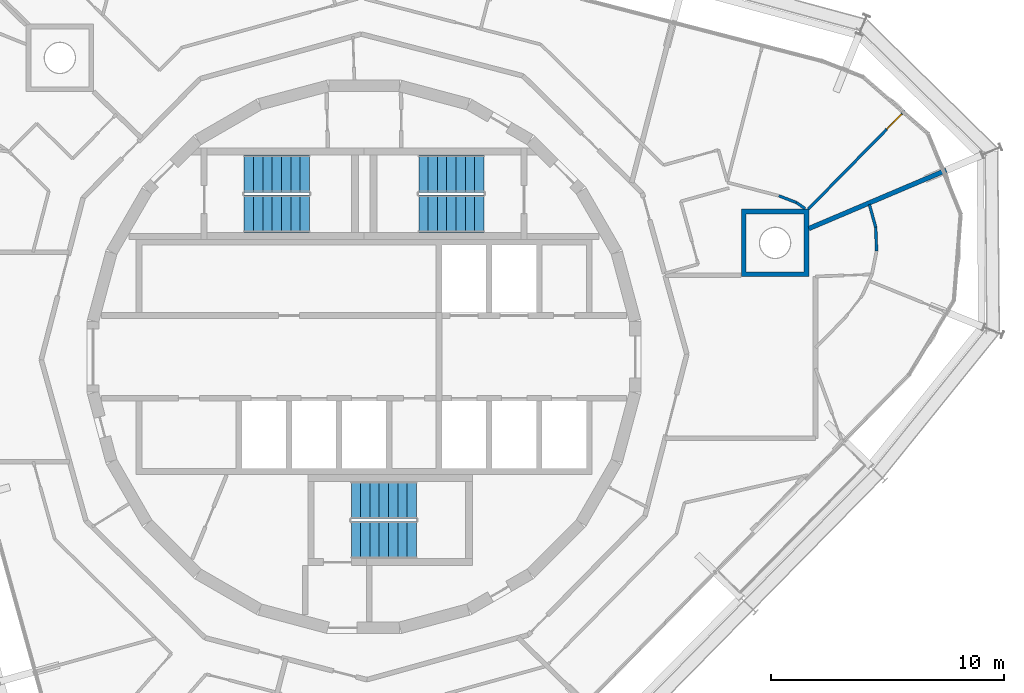
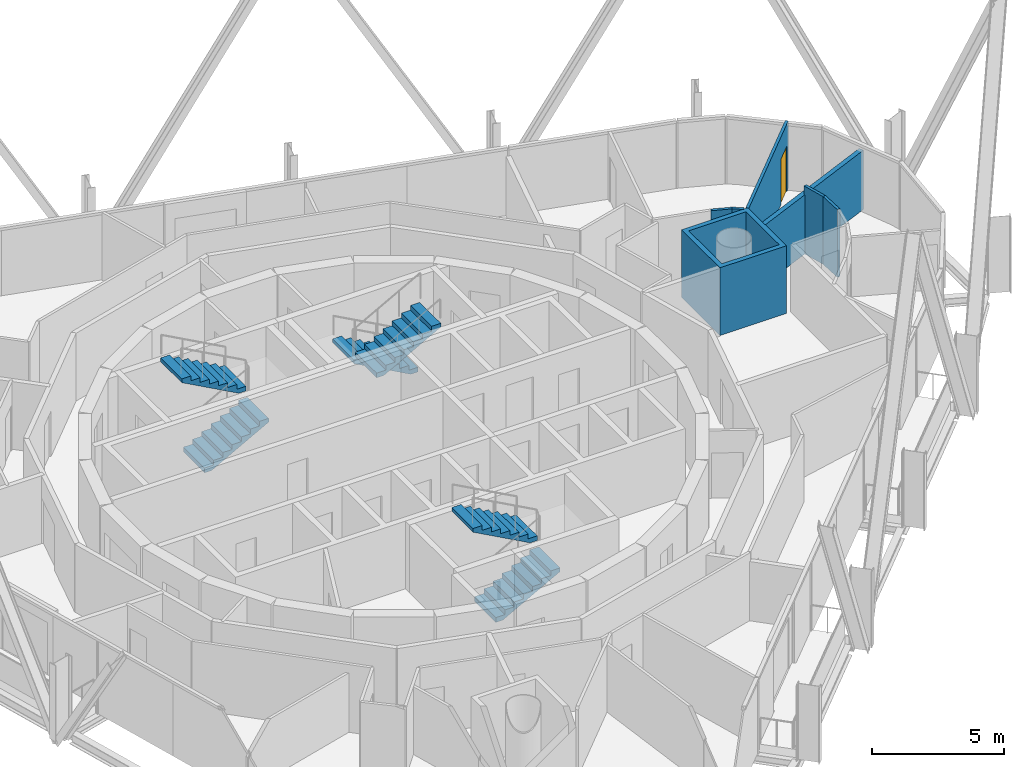
# One storey, part 14 of 15: 7 walls, 6 stair flights, 1 door, 1 opening, 3 elements without a shape of their own.
"""IFC4 building model written with IfcOpenShell, lengths in metres."""

from ifc_helpers import new_model, si_unit, direction, frame, frame_2d, origin, place, context, subcontext, project, spatial, polyline, rectangle, outline, extrude, material, layer, layer_set, type_object, element, fill, aggregate, save


model = new_model("IFC4")

# Units and contexts
model_context = context("Model", 3, precision=1e-05, world=origin(), true_north=direction((0.0, 1.0)))
body_context = subcontext(model_context, "Body", "Model", "MODEL_VIEW")
ifc_project = project(units=[si_unit("LENGTHUNIT", "METRE"), si_unit("AREAUNIT", "SQUARE_METRE"), si_unit("VOLUMEUNIT", "CUBIC_METRE"), si_unit("PLANEANGLEUNIT", "RADIAN"), si_unit("MASSUNIT", "GRAM", prefix="KILO")], contexts=[model_context])

# Site, building, storey
site_placement = place(None, origin())
site = spatial("IfcSite", under=ifc_project, at=site_placement, CompositionType="ELEMENT")
building_placement = place(site_placement, origin())
building = spatial("IfcBuilding", under=site, at=building_placement, Name="Spindle Arch Residences", CompositionType="ELEMENT")
storey_placement = place(building_placement, frame((0.0, 0.0, 312.199951171875)))
storey = spatial("IfcBuildingStorey", under=building, at=storey_placement, Name="L80", CompositionType="ELEMENT", Elevation=312.199951171875)

# Wall, opening, door
ifc_material_1 = material(Name="Plasterboard on steel studs", Category="steel")
ifc_layer_1 = layer(ifc_material_1, 0.1201171875)
ifc_layer_set_1 = layer_set([ifc_layer_1], Name="Flat partition 120")
wall_type_1 = type_object("IfcWallType", Name="Flat partition 120", PredefinedType="PARTITIONING", material=ifc_layer_set_1)
wall_1_placement = place(storey_placement, frame((23.240478515625, 10.576416015625, 0.0), z_axis=(0.0, 0.0, 1.0), x_axis=(-0.700776156398, -0.713381229515, 0.0)))
wall_1 = element("IfcWall", 1, at=wall_1_placement, inside=storey, type_object=wall_type_1, Name="Flat partition R8B0-W036", PredefinedType="PARTITIONING", context=body_context, shape_type="SweptSolid", body=[
    extrude(rectangle(XDim=5.9267578125, YDim=0.1201171875, at=frame_2d((2.96337890625, 0.0))), origin(), (0.0, 0.0, 1.0), 3.1201171875),
])
opening_placement = place(wall_1_placement, frame((0.199951171875, 0.0, 0.0)))
opening = element("IfcOpeningElement", 2, at=opening_placement, cuts=wall_1, Name="Opening R8B0-ID03", PredefinedType="OPENING", context=body_context, shape_type="SweptSolid", body=[
    extrude(rectangle(XDim=0.89990234375, YDim=2.10009765625, at=frame_2d((0.449951171875, 1.050048828125))), frame((0.0, 0.070068359375, 0.0), z_axis=(0.0, -1.0, 0.0), x_axis=(1.0, 0.0, 0.0)), (0.0, 0.0, 1.0), 0.14013671875),
])
ifc_material_2 = material(Name="Timber door set", Category="wood")
door_type = type_object("IfcDoorType", Name="Room door 900x2100", OperationType="NOTDEFINED", PredefinedType="DOOR", material=ifc_material_2)
door_placement = place(opening_placement, origin())
door = element("IfcDoor", 3, at=door_placement, inside=storey, type_object=door_type, Name="Room door R8B0-ID03", OperationType="SINGLE_SWING_LEFT", OverallHeight=2.10009765625, OverallWidth=0.89990234375, PredefinedType="DOOR", context=body_context, shape_type="SweptSolid", body=[
    extrude(rectangle(XDim=0.89990234375, YDim=2.10009765625, at=frame_2d((0.449951171875, 1.050048828125))), frame((0.0, 0.02490234375, 0.0), z_axis=(0.0, -1.0, 0.0), x_axis=(1.0, 0.0, 0.0)), (0.0, 0.0, 1.0), 0.050048828125),
])
fill(opening, door)

# Walls
wall_2_placement = place(storey_placement, frame((18.9521484375, 6.373291015625, 0.0), z_axis=(0.0, 0.0, 1.0), x_axis=(-0.82412024189, 0.566414889377, 0.0)))
element("IfcWall", 4, at=wall_2_placement, inside=storey, type_object=wall_type_1, Name="Flat partition R8B0-W037", PredefinedType="PARTITIONING", context=body_context, shape_type="SweptSolid", body=[
    extrude(rectangle(XDim=0.454833984375, YDim=0.1201171875, at=frame_2d((0.2275390625, 0.0))), origin(), (0.0, 0.0, 1.0), 3.1201171875),
])
wall_3_placement = place(storey_placement, frame((18.577392578125, 6.630859375, 0.0), z_axis=(0.0, 0.0, 1.0), x_axis=(-0.932531937323, 0.361087504455, 0.0)))
element("IfcWall", 5, at=wall_3_placement, inside=storey, type_object=wall_type_1, Name="Flat partition R8B0-W038", PredefinedType="PARTITIONING", context=body_context, shape_type="SweptSolid", body=[
    extrude(rectangle(XDim=0.806640625, YDim=0.1201171875, at=frame_2d((0.4033203125, 0.0))), origin(), (0.0, 0.0, 1.0), 3.1201171875),
])
for number, where, z_axis, x_axis, name in (
    (6, (21.714599609375, 6.549072265625, 0.0), (0.0, 0.0, 1.0), (0.267222438577, -0.963634872927, 0.0), "Flat partition R8B0-W084"),
    (7, (21.986083984375, 5.570068359375, 0.0), (0.0, 0.0, 1.0), (0.037971633756, -0.999278817463, 0.0), "Flat partition R8B0-W085"),
):
    element("IfcWall", number, at=place(storey_placement, frame(where, z_axis=z_axis, x_axis=x_axis)), inside=storey, type_object=wall_type_1, Name=name, PredefinedType="PARTITIONING", context=body_context, shape_type="SweptSolid", body=[
        extrude(rectangle(XDim=1.015869140625, YDim=0.1201171875, at=frame_2d((0.5078125, 0.0))), origin(), (0.0, 0.0, 1.0), 3.1201171875),
    ])
ifc_material_3 = material(Name="Calcium silicate block, plastered")
ifc_layer_2 = layer(ifc_material_3, 0.199951171875)
ifc_layer_set_2 = layer_set([ifc_layer_2], Name="Flat party wall 200 under beam 2730")
wall_type_2 = type_object("IfcWallType", Name="Flat party wall 200 under beam 2730", PredefinedType="STANDARD", material=ifc_layer_set_2)
wall_4_placement = place(storey_placement, frame((19.112548828125, 5.513916015625, 0.0), z_axis=(0.0, 0.0, 1.0), x_axis=(0.920500452946, 0.390741495269, 0.0)))
element("IfcWall", 8, at=wall_4_placement, inside=storey, type_object=wall_type_2, Name="Flat party wall R8B0-W023", PredefinedType="STANDARD", context=body_context, shape_type="SweptSolid", body=[
    extrude(rectangle(XDim=6.411865234375, YDim=0.199951171875, at=frame_2d((3.2060546875, 0.0))), origin(), (0.0, 0.0, 1.0), 2.72998046875),
])
ifc_material_4 = material(Name="Calcium silicate block, plastered")
ifc_layer_3 = layer(ifc_material_4, 0.199951171875)
ifc_layer_set_3 = layer_set([ifc_layer_3], Name="Mega-column casing wall 200")
wall_type_3 = type_object("IfcWallType", Name="Mega-column casing wall 200", PredefinedType="STANDARD", material=ifc_layer_set_3)
wall_5_placement = place(storey_placement, origin())
element("IfcWall", 9, at=wall_5_placement, inside=storey, type_object=wall_type_3, Name="Mega-column casing wall R8B0-WC01", PredefinedType="STANDARD", context=body_context, shape_type="SweptSolid", body=[
    extrude(outline(polyline([(19.112548828125, 6.348388671875), (19.112548828125, 3.4482421875), (16.212646484375, 3.4482421875), (16.212646484375, 6.348388671875), (19.112548828125, 6.348388671875)]), holes=[polyline([(16.41259765625, 3.648193359375), (18.91259765625, 3.648193359375), (18.91259765625, 6.148193359375), (16.41259765625, 6.148193359375), (16.41259765625, 3.648193359375)])]), origin(), (0.0, 0.0, 1.0), 3.1201171875),
])

# Stair, stair flights
ifc_material_5 = material(Name="Concrete C50/60", Category="concrete")
stair_type = type_object("IfcStairType", Name="Exit stair 16 risers", PredefinedType="HALF_TURN_STAIR", material=ifc_material_5)
stair_1_placement = place(storey_placement, origin())
stair_1 = element("IfcStair", 10, at=stair_1_placement, inside=storey, type_object=stair_type, Name="L80 Exit stair ST1", PredefinedType="HALF_TURN_STAIR")
ifc_material_6 = material(Name="Concrete C50/60", Category="concrete")
stair_flight_type = type_object("IfcStairFlightType", Name="Exit stair flight", PredefinedType="STRAIGHT", material=ifc_material_6)
stair_flight_1_placement = place(storey_placement, frame((5.14990234375, 7.8701171875, 0.0), z_axis=(0.0, 0.0, 1.0), x_axis=(-1.0, 0.0, 0.0)))
stair_flight_1 = element("IfcStairFlight", 11, at=stair_flight_1_placement, type_object=stair_flight_type, Name="ST1 flight 1", NumberOfRisers=8, NumberOfTreads=7, PredefinedType="STRAIGHT", RiserHeight=0.21875, TreadLength=0.4, context=body_context, shape_type="SweptSolid", body=[
    extrude(outline(polyline([(0.0, 0.0), (0.0, 0.21875), (0.39990234375, 0.21875), (0.39990234375, 0.4375), (0.800048828125, 0.4375), (0.800048828125, 0.65625), (1.199951171875, 0.65625), (1.199951171875, 0.875), (1.60009765625, 0.875), (1.60009765625, 1.09375), (2.0, 1.09375), (2.0, 1.3125), (2.39990234375, 1.3125), (2.39990234375, 1.53125), (2.800048828125, 1.53125), (2.800048828125, 1.75), (2.800048828125, 1.3603515625), (0.3125, 0.0), (0.0, 0.0)])), frame((0.0, 0.800048828125, 0.0), z_axis=(0.0, -1.0, 0.0), x_axis=(1.0, 0.0, 0.0)), (0.0, 0.0, 1.0), 1.60009765625),
])
stair_flight_2_placement = place(storey_placement, frame((2.35009765625, 6.14990234375, 1.75), z_axis=(0.0, 0.0, 1.0), x_axis=(1.0, 0.0, 0.0)))
stair_flight_2 = element("IfcStairFlight", 12, at=stair_flight_2_placement, type_object=stair_flight_type, Name="ST1 flight 2", NumberOfRisers=8, NumberOfTreads=7, PredefinedType="STRAIGHT", RiserHeight=0.21875, TreadLength=0.4, context=body_context, shape_type="SweptSolid", body=[
    extrude(outline(polyline([(0.0, 0.0), (0.0, 0.21875), (0.39990234375, 0.21875), (0.39990234375, 0.4375), (0.800048828125, 0.4375), (0.800048828125, 0.65625), (1.199951171875, 0.65625), (1.199951171875, 0.875), (1.60009765625, 0.875), (1.60009765625, 1.09375), (2.0, 1.09375), (2.0, 1.3125), (2.39990234375, 1.3125), (2.39990234375, 1.53125), (2.800048828125, 1.53125), (2.800048828125, 1.75), (2.800048828125, 1.3603515625), (0.3125, 0.0), (0.0, 0.0)])), frame((0.0, 0.800048828125, 0.0), z_axis=(0.0, -1.0, 0.0), x_axis=(1.0, 0.0, 0.0)), (0.0, 0.0, 1.0), 1.60009765625),
])
aggregate(stair_1, [stair_flight_1, stair_flight_2])

stair_2_placement = place(storey_placement, origin())
stair_2 = element("IfcStair", 13, at=stair_2_placement, inside=storey, type_object=stair_type, Name="L80 Exit stair ST2", PredefinedType="HALF_TURN_STAIR")
stair_flight_3_placement = place(storey_placement, frame((-5.14990234375, 6.14990234375, 0.0), z_axis=(0.0, 0.0, 1.0), x_axis=(1.0, 0.0, 0.0)))
stair_flight_3 = element("IfcStairFlight", 14, at=stair_flight_3_placement, type_object=stair_flight_type, Name="ST2 flight 1", NumberOfRisers=8, NumberOfTreads=7, PredefinedType="STRAIGHT", RiserHeight=0.21875, TreadLength=0.4, context=body_context, shape_type="SweptSolid", body=[
    extrude(outline(polyline([(0.0, 0.0), (0.0, 0.21875), (0.39990234375, 0.21875), (0.39990234375, 0.4375), (0.800048828125, 0.4375), (0.800048828125, 0.65625), (1.199951171875, 0.65625), (1.199951171875, 0.875), (1.60009765625, 0.875), (1.60009765625, 1.09375), (2.0, 1.09375), (2.0, 1.3125), (2.39990234375, 1.3125), (2.39990234375, 1.53125), (2.800048828125, 1.53125), (2.800048828125, 1.75), (2.800048828125, 1.3603515625), (0.3125, 0.0), (0.0, 0.0)])), frame((0.0, 0.800048828125, 0.0), z_axis=(0.0, -1.0, 0.0), x_axis=(1.0, 0.0, 0.0)), (0.0, 0.0, 1.0), 1.60009765625),
])
stair_flight_4_placement = place(storey_placement, frame((-2.35009765625, 7.8701171875, 1.75), z_axis=(0.0, 0.0, 1.0), x_axis=(-1.0, 0.0, 0.0)))
stair_flight_4 = element("IfcStairFlight", 15, at=stair_flight_4_placement, type_object=stair_flight_type, Name="ST2 flight 2", NumberOfRisers=8, NumberOfTreads=7, PredefinedType="STRAIGHT", RiserHeight=0.21875, TreadLength=0.4, context=body_context, shape_type="SweptSolid", body=[
    extrude(outline(polyline([(0.0, 0.0), (0.0, 0.21875), (0.39990234375, 0.21875), (0.39990234375, 0.4375), (0.800048828125, 0.4375), (0.800048828125, 0.65625), (1.199951171875, 0.65625), (1.199951171875, 0.875), (1.60009765625, 0.875), (1.60009765625, 1.09375), (2.0, 1.09375), (2.0, 1.3125), (2.39990234375, 1.3125), (2.39990234375, 1.53125), (2.800048828125, 1.53125), (2.800048828125, 1.75), (2.800048828125, 1.3603515625), (0.3125, 0.0), (0.0, 0.0)])), frame((0.0, 0.800048828125, 0.0), z_axis=(0.0, -1.0, 0.0), x_axis=(1.0, 0.0, 0.0)), (0.0, 0.0, 1.0), 1.60009765625),
])
aggregate(stair_2, [stair_flight_3, stair_flight_4])

stair_3_placement = place(storey_placement, origin())
stair_3 = element("IfcStair", 16, at=stair_3_placement, inside=storey, type_object=stair_type, Name="L80 Exit stair ST3", PredefinedType="HALF_TURN_STAIR")
stair_flight_5_placement = place(storey_placement, frame((-0.550048828125, -7.8701171875, 0.0), z_axis=(0.0, 0.0, 1.0), x_axis=(1.0, 0.0, 0.0)))
stair_flight_5 = element("IfcStairFlight", 17, at=stair_flight_5_placement, type_object=stair_flight_type, Name="ST3 flight 1", NumberOfRisers=8, NumberOfTreads=7, PredefinedType="STRAIGHT", RiserHeight=0.21875, TreadLength=0.4, context=body_context, shape_type="SweptSolid", body=[
    extrude(outline(polyline([(0.0, 0.0), (0.0, 0.21875), (0.39990234375, 0.21875), (0.39990234375, 0.4375), (0.800048828125, 0.4375), (0.800048828125, 0.65625), (1.199951171875, 0.65625), (1.199951171875, 0.875), (1.60009765625, 0.875), (1.60009765625, 1.09375), (2.0, 1.09375), (2.0, 1.3125), (2.39990234375, 1.3125), (2.39990234375, 1.53125), (2.800048828125, 1.53125), (2.800048828125, 1.75), (2.800048828125, 1.3603515625), (0.3125, 0.0), (0.0, 0.0)])), frame((0.0, 0.800048828125, 0.0), z_axis=(0.0, -1.0, 0.0), x_axis=(1.0, 0.0, 0.0)), (0.0, 0.0, 1.0), 1.60009765625),
])
stair_flight_6_placement = place(storey_placement, frame((2.25, -6.14990234375, 1.75), z_axis=(0.0, 0.0, 1.0), x_axis=(-1.0, 0.0, 0.0)))
stair_flight_6 = element("IfcStairFlight", 18, at=stair_flight_6_placement, type_object=stair_flight_type, Name="ST3 flight 2", NumberOfRisers=8, NumberOfTreads=7, PredefinedType="STRAIGHT", RiserHeight=0.21875, TreadLength=0.4, context=body_context, shape_type="SweptSolid", body=[
    extrude(outline(polyline([(0.0, 0.0), (0.0, 0.21875), (0.39990234375, 0.21875), (0.39990234375, 0.4375), (0.800048828125, 0.4375), (0.800048828125, 0.65625), (1.199951171875, 0.65625), (1.199951171875, 0.875), (1.60009765625, 0.875), (1.60009765625, 1.09375), (2.0, 1.09375), (2.0, 1.3125), (2.39990234375, 1.3125), (2.39990234375, 1.53125), (2.800048828125, 1.53125), (2.800048828125, 1.75), (2.800048828125, 1.3603515625), (0.3125, 0.0), (0.0, 0.0)])), frame((0.0, 0.800048828125, 0.0), z_axis=(0.0, -1.0, 0.0), x_axis=(1.0, 0.0, 0.0)), (0.0, 0.0, 1.0), 1.60009765625),
])
aggregate(stair_3, [stair_flight_5, stair_flight_6])

save(model, "model.ifc")
